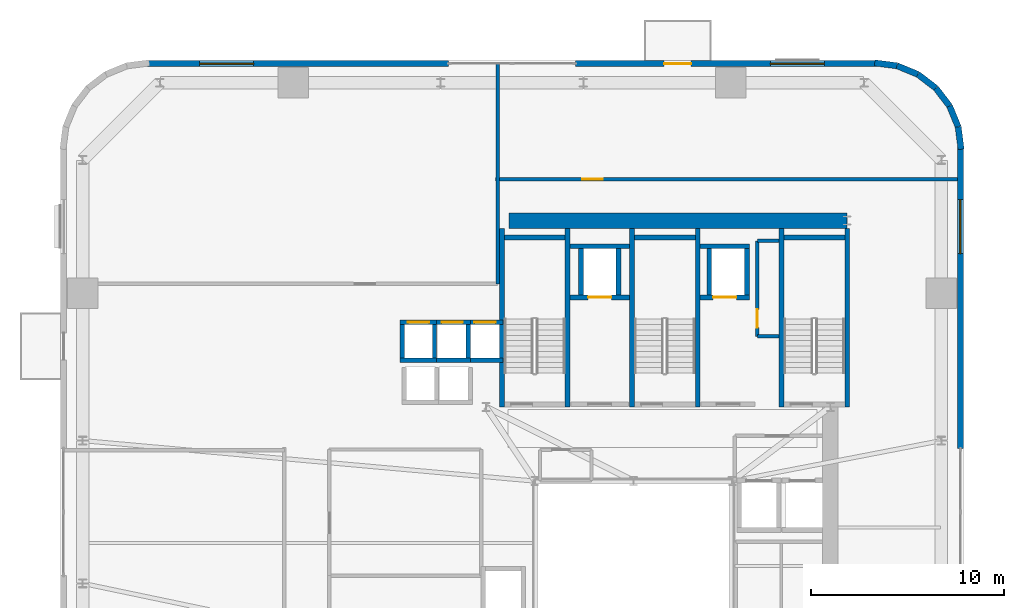
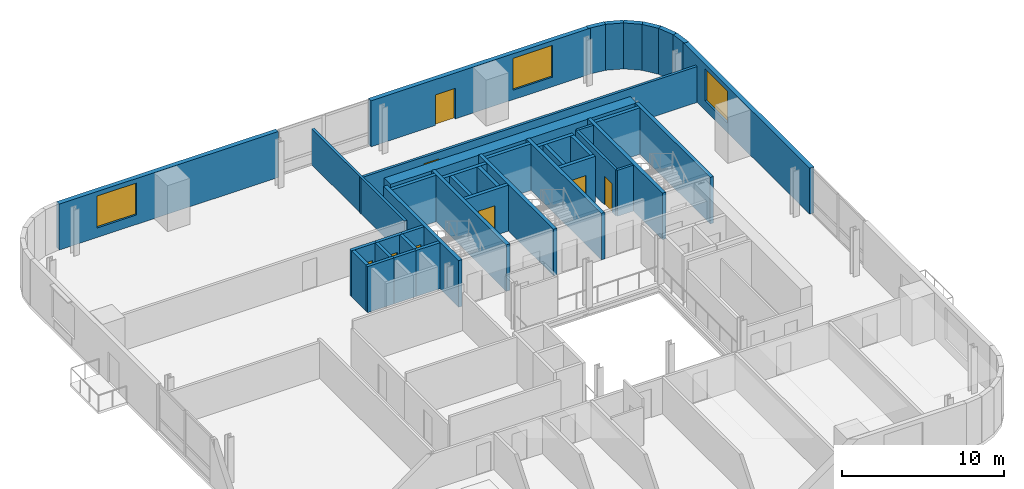
# One storey, part 8 of 14: 41 walls, 8 doors, 3 windows, 11 openings.
"""IFC4 building model written with IfcOpenShell, lengths in metres."""

from ifc_helpers import new_model, si_unit, direction, frame, frame_2d, origin, place, context, subcontext, project, spatial, rectangle, extrude, source, transform, mapped, material, layer, layer_set, type_object, element, fill, save


model = new_model("IFC4")

# Units and contexts
model_context = context("Model", 3, precision=1e-05, world=origin(), true_north=direction((0.0, 1.0)))
body_context = subcontext(model_context, "Body", "Model", "MODEL_VIEW")
ifc_project = project(units=[si_unit("LENGTHUNIT", "METRE"), si_unit("AREAUNIT", "SQUARE_METRE"), si_unit("VOLUMEUNIT", "CUBIC_METRE"), si_unit("PLANEANGLEUNIT", "RADIAN"), si_unit("MASSUNIT", "GRAM", prefix="KILO")], contexts=[model_context])

# Site, building, storey
site_placement = place(None, origin())
site = spatial("IfcSite", under=ifc_project, at=site_placement, CompositionType="ELEMENT")
building_placement = place(site_placement, origin())
building = spatial("IfcBuilding", under=site, at=building_placement, Name="Vardaveli Station Tower", CompositionType="ELEMENT")
storey_placement = place(building_placement, frame((0.0, 0.0, 111.300048828125)))
storey = spatial("IfcBuildingStorey", under=building, at=storey_placement, Name="L28", CompositionType="ELEMENT", Elevation=111.300048828125)

# Wall
ifc_material_1 = material(Name="Concrete C50/60", Category="concrete")
ifc_layer_1 = layer(ifc_material_1, 0.800048828125, Name="Concrete C50/60")
ifc_layer_set_1 = layer_set([ifc_layer_1], Name="Concrete C50/60")
wall_type_1 = type_object("IfcWallType", Name="WAL-CORE-800", PredefinedType="SHEAR", material=ifc_layer_set_1)
shared_shape_1 = source(origin(), body_context, "Body", "SweptSolid", [
    extrude(rectangle(XDim=17.52001953125, YDim=0.800048828125, at=frame_2d((8.760009765625, 0.0))), origin(), (0.0, 0.0, 1.0), 3.4599609375),
])
wall_1_placement = place(storey_placement, frame((29.85009765625, 40.300048828125, 0.0), z_axis=(0.0, 0.0, 1.0), x_axis=(1.0, 0.0, 0.0)))
element("IfcWall", 1, at=wall_1_placement, inside=storey, type_object=wall_type_1, Name="SW-L28-NORTH", PredefinedType="SHEAR", context=body_context, shape_type="MappedRepresentation", body=[
    mapped(shared_shape_1, transform((0.0, 0.0, 0.0), scale=1.0)),
])

# Wall, openings, door, window
ifc_material_2 = material(Name="Precast concrete C45/55", Category="concrete")
ifc_layer_2 = layer(ifc_material_2, 0.320068359375, Name="Precast concrete C45/55")
ifc_layer_set_2 = layer_set([ifc_layer_2], Name="Precast concrete C45/55")
wall_type_2 = type_object("IfcWallType", Name="WAL-EXT-STONE-320", PredefinedType="SOLIDWALL", material=ifc_layer_set_2)
shared_shape_2 = source(origin(), body_context, "Body", "SweptSolid", [
    extrude(rectangle(XDim=15.599853515625, YDim=0.320068359375, at=frame_2d((7.7998046875, 0.0))), origin(), (0.0, 0.0, 1.0), 3.4599609375),
])
wall_2_placement = place(storey_placement, frame((48.89990234375, 48.43994140625, 0.0), z_axis=(0.0, 0.0, 1.0), x_axis=(-1.0, 0.0, 0.0)))
wall_2 = element("IfcWall", 2, at=wall_2_placement, inside=storey, type_object=wall_type_2, Name="EW-L28-N1", PredefinedType="SOLIDWALL", context=body_context, shape_type="MappedRepresentation", body=[
    mapped(shared_shape_2, transform((0.0, 0.0, 0.0), scale=1.0)),
])
shared_shape_3 = source(origin(), body_context, "Body", "SweptSolid", [
    extrude(rectangle(XDim=1.39990234375, YDim=2.300048828125, at=frame_2d((0.699951171875, 1.14990234375))), frame((0.0, 0.169921875, 0.0), z_axis=(0.0, -1.0, 0.0), x_axis=(1.0, 0.0, 0.0)), (0.0, 0.0, 1.0), 0.340087890625),
])
opening_1_placement = place(wall_2_placement, frame((9.6103515625, 0.0, 0.0)))
opening_1 = element("IfcOpeningElement", 3, at=opening_1_placement, cuts=wall_2, Name="Opening D-09", PredefinedType="OPENING", context=body_context, shape_type="MappedRepresentation", body=[
    mapped(shared_shape_3, transform((0.0, 0.0, 0.0), scale=1.0)),
])
shared_shape_4 = source(origin(), body_context, "Body", "SweptSolid", [
    extrude(rectangle(XDim=2.800048828125, YDim=2.39990234375, at=frame_2d((1.39990234375, 1.199951171875))), frame((0.0, 0.169921875, 0.0), z_axis=(0.0, -1.0, 0.0), x_axis=(1.0, 0.0, 0.0)), (0.0, 0.0, 1.0), 0.340087890625),
])
opening_2_placement = place(wall_2_placement, frame((2.705078125, 0.0, 0.719970703125)))
opening_2 = element("IfcOpeningElement", 4, at=opening_2_placement, cuts=wall_2, Name="Opening W-04", PredefinedType="OPENING", context=body_context, shape_type="MappedRepresentation", body=[
    mapped(shared_shape_4, transform((0.0, 0.0, 0.0), scale=1.0)),
])
ifc_material_3 = material(Name="Thermally broken aluminium glass", Category="aluminium")
door_type_1 = type_object("IfcDoorType", Name="DR-LOG-1400x2300", OperationType="DOUBLE_DOOR_SLIDING", PredefinedType="DOOR", material=ifc_material_3)
shared_shape_5 = source(origin(), body_context, "Body", "SweptSolid", [
    extrude(rectangle(XDim=1.39990234375, YDim=2.300048828125, at=frame_2d((0.699951171875, 1.14990234375))), frame((0.0, 0.02490234375, 0.0), z_axis=(0.0, -1.0, 0.0), x_axis=(1.0, 0.0, 0.0)), (0.0, 0.0, 1.0), 0.050048828125),
])
door_1_placement = place(opening_1_placement, frame((1.39990234375, 0.0, 0.0), z_axis=(0.0, 0.0, 1.0), x_axis=(-1.0, 0.0, 0.0)))
door_1 = element("IfcDoor", 5, at=door_1_placement, inside=storey, type_object=door_type_1, Name="DLG-L28-N", OperationType="DOUBLE_DOOR_SLIDING", OverallHeight=2.300048828125, OverallWidth=1.39990234375, PredefinedType="DOOR", context=body_context, shape_type="MappedRepresentation", body=[
    mapped(shared_shape_5, transform((0.0, 0.0, 0.0), scale=1.0)),
])
fill(opening_1, door_1)
ifc_material_4 = material(Name="Low-E solar-control glass", Category="glass")
window_type = type_object("IfcWindowType", Name="WIN-SUITE-2800x2400", PartitioningType="SINGLE_PANEL", PredefinedType="WINDOW", material=ifc_material_4)
shared_shape_6 = source(origin(), body_context, "Body", "SweptSolid", [
    extrude(rectangle(XDim=2.800048828125, YDim=2.39990234375, at=frame_2d((1.39990234375, 1.199951171875))), frame((0.0, 0.030029296875, 0.0), z_axis=(0.0, -1.0, 0.0), x_axis=(1.0, 0.0, 0.0)), (0.0, 0.0, 1.0), 0.06005859375),
])
window_1_placement = place(opening_2_placement, origin())
window_1 = element("IfcWindow", 6, at=window_1_placement, inside=storey, type_object=window_type, Name="WN-L28-N1", OverallHeight=2.39990234375, OverallWidth=2.800048828125, PartitioningType="SINGLE_PANEL", PredefinedType="WINDOW", context=body_context, shape_type="MappedRepresentation", body=[
    mapped(shared_shape_6, transform((0.0, 0.0, 0.0), scale=1.0)),
])
fill(opening_2, window_1)

# Wall, opening, window
wall_3_placement = place(storey_placement, frame((26.699951171875, 48.43994140625, 0.0), z_axis=(0.0, 0.0, 1.0), x_axis=(-1.0, 0.0, 0.0)))
wall_3 = element("IfcWall", 7, at=wall_3_placement, inside=storey, type_object=wall_type_2, Name="EW-L28-N2", PredefinedType="SOLIDWALL", context=body_context, shape_type="MappedRepresentation", body=[
    mapped(shared_shape_2, transform((0.0, 0.0, 0.0), scale=1.0)),
])
opening_3_placement = place(wall_3_placement, frame((10.094970703125, 0.0, 0.719970703125)))
opening_3 = element("IfcOpeningElement", 8, at=opening_3_placement, cuts=wall_3, Name="Opening W-04", PredefinedType="OPENING", context=body_context, shape_type="MappedRepresentation", body=[
    mapped(shared_shape_4, transform((0.0, 0.0, 0.0), scale=1.0)),
])
window_2_placement = place(opening_3_placement, origin())
window_2 = element("IfcWindow", 9, at=window_2_placement, inside=storey, type_object=window_type, Name="WN-L28-N2", OverallHeight=2.39990234375, OverallWidth=2.800048828125, PartitioningType="SINGLE_PANEL", PredefinedType="WINDOW", context=body_context, shape_type="MappedRepresentation", body=[
    mapped(shared_shape_6, transform((0.0, 0.0, 0.0), scale=1.0)),
])
fill(opening_3, window_2)

shared_shape_7 = source(origin(), body_context, "Body", "SweptSolid", [
    extrude(rectangle(XDim=15.60009765625, YDim=0.320068359375, at=frame_2d((7.800048828125, 0.0))), origin(), (0.0, 0.0, 1.0), 3.4599609375),
])
wall_4_placement = place(storey_placement, frame((53.239990234375, 28.5, 0.0), z_axis=(0.0, 0.0, 1.0), x_axis=(0.0, 1.0, 0.0)))
wall_4 = element("IfcWall", 10, at=wall_4_placement, inside=storey, type_object=wall_type_2, Name="EW-L28-E2", PredefinedType="SOLIDWALL", context=body_context, shape_type="MappedRepresentation", body=[
    mapped(shared_shape_7, transform((0.0, 0.0, 0.0), scale=1.0)),
])
opening_4_placement = place(wall_4_placement, frame((10.094970703125, 0.0, 0.719970703125)))
opening_4 = element("IfcOpeningElement", 11, at=opening_4_placement, cuts=wall_4, Name="Opening W-04", PredefinedType="OPENING", context=body_context, shape_type="MappedRepresentation", body=[
    mapped(shared_shape_4, transform((0.0, 0.0, 0.0), scale=1.0)),
])
window_3_placement = place(opening_4_placement, origin())
window_3 = element("IfcWindow", 12, at=window_3_placement, inside=storey, type_object=window_type, Name="WN-L28-E2", OverallHeight=2.39990234375, OverallWidth=2.800048828125, PartitioningType="SINGLE_PANEL", PredefinedType="WINDOW", context=body_context, shape_type="MappedRepresentation", body=[
    mapped(shared_shape_6, transform((0.0, 0.0, 0.0), scale=1.0)),
])
fill(opening_4, window_3)

# Walls
shared_shape_8 = source(origin(), body_context, "Body", "SweptSolid", [
    extrude(rectangle(XDim=1.1689453125, YDim=0.320068359375, at=frame_2d((0.58447265625, 0.0))), origin(), (0.0, 0.0, 1.0), 3.4599609375),
])
wall_5_placement = place(storey_placement, frame((52.679931640625, 46.2412109375, 0.0), z_axis=(0.0, 0.0, 1.0), x_axis=(-0.608387696831, 0.793639975269, 0.0)))
element("IfcWall", 13, at=wall_5_placement, inside=storey, type_object=wall_type_2, Name="EW-L28-CR3-3", PredefinedType="SOLIDWALL", context=body_context, shape_type="MappedRepresentation", body=[
    mapped(shared_shape_8, transform((0.0, 0.0, 0.0), scale=1.0)),
])
shared_shape_9 = source(origin(), body_context, "Body", "SweptSolid", [
    extrude(rectangle(XDim=1.168701171875, YDim=0.320068359375, at=frame_2d((0.58447265625, 0.0))), origin(), (0.0, 0.0, 1.0), 3.4599609375),
])
wall_6_placement = place(storey_placement, frame((51.96875, 47.1689453125, 0.0), z_axis=(0.0, 0.0, 1.0), x_axis=(-0.793663520347, 0.608356981114, 0.0)))
element("IfcWall", 14, at=wall_6_placement, inside=storey, type_object=wall_type_2, Name="EW-L28-CR3-4", PredefinedType="SOLIDWALL", context=body_context, shape_type="MappedRepresentation", body=[
    mapped(shared_shape_9, transform((0.0, 0.0, 0.0), scale=1.0)),
])
shared_shape_10 = source(origin(), body_context, "Body", "SweptSolid", [
    extrude(rectangle(XDim=1.17041015625, YDim=0.320068359375, at=frame_2d((0.585205078125, 0.0))), origin(), (0.0, 0.0, 1.0), 3.4599609375),
])
for number, where, z_axis, x_axis, name in (
    (15, (53.275634765625, 43.99951171875, 0.0), (0.0, 0.0, 1.0), (-0.128295670475, 0.991735963317, 0.0), "EW-L28-CR3-1"),
    (16, (49.960205078125, 48.325439453125, 0.0), (0.0, 0.0, 1.0), (-0.991735963317, 0.128295670475, 0.0), "EW-L28-CR3-6"),
):
    element("IfcWall", number, at=place(storey_placement, frame(where, z_axis=z_axis, x_axis=x_axis)), inside=storey, type_object=wall_type_2, Name=name, PredefinedType="SOLIDWALL", context=body_context, shape_type="MappedRepresentation", body=[
        mapped(shared_shape_10, transform((0.0, 0.0, 0.0), scale=1.0)),
    ])
shared_shape_11 = source(origin(), body_context, "Body", "SweptSolid", [
    extrude(rectangle(XDim=1.169189453125, YDim=0.320068359375, at=frame_2d((0.58447265625, 0.0))), origin(), (0.0, 0.0, 1.0), 3.4599609375),
])
for number, where, z_axis, x_axis, name in (
    (17, (53.12548828125, 45.16015625, 0.0), (0.0, 0.0, 1.0), (-0.381054331552, 0.924552646638, 0.0), "EW-L28-CR3-2"),
    (18, (51.041259765625, 47.8798828125, 0.0), (0.0, 0.0, 1.0), (-0.924552646638, 0.381054331552, 0.0), "EW-L28-CR3-5"),
):
    element("IfcWall", number, at=place(storey_placement, frame(where, z_axis=z_axis, x_axis=x_axis)), inside=storey, type_object=wall_type_2, Name=name, PredefinedType="SOLIDWALL", context=body_context, shape_type="MappedRepresentation", body=[
        mapped(shared_shape_11, transform((0.0, 0.0, 0.0), scale=1.0)),
    ])
ifc_material_5 = material(Name="Concrete C40/50", Category="concrete")
ifc_layer_3 = layer(ifc_material_5, 0.25, Name="Concrete C40/50")
ifc_layer_set_3 = layer_set([ifc_layer_3], Name="Concrete C40/50")
wall_type_3 = type_object("IfcWallType", Name="WAL-SHAFT-250", PredefinedType="SOLIDWALL", material=ifc_layer_set_3)
shared_shape_12 = source(origin(), body_context, "Body", "SweptSolid", [
    extrude(rectangle(XDim=9.25, YDim=0.25, at=frame_2d((4.625, 0.0))), origin(), (0.0, 0.0, 1.0), 3.5),
])
for number, where, z_axis, x_axis, name in (
    (19, (29.47509765625, 30.64990234375, 0.0), (0.0, 0.0, 1.0), (0.0, 1.0, 0.0), "W-L28-ST-1W"),
    (20, (32.875, 30.64990234375, 0.0), (0.0, 0.0, 1.0), (0.0, 1.0, 0.0), "W-L28-ST-1E"),
    (21, (36.22509765625, 30.64990234375, 0.0), (0.0, 0.0, 1.0), (0.0, 1.0, 0.0), "W-L28-ST-2W"),
    (22, (39.625, 30.64990234375, 0.0), (0.0, 0.0, 1.0), (0.0, 1.0, 0.0), "W-L28-ST-2E"),
    (23, (43.97509765625, 30.64990234375, 0.0), (0.0, 0.0, 1.0), (0.0, 1.0, 0.0), "W-L28-ST-3W"),
    (24, (47.375, 30.64990234375, 0.0), (0.0, 0.0, 1.0), (0.0, 1.0, 0.0), "W-L28-ST-3E"),
):
    element("IfcWall", number, at=place(storey_placement, frame(where, z_axis=z_axis, x_axis=x_axis)), inside=storey, type_object=wall_type_3, Name=name, PredefinedType="SOLIDWALL", context=body_context, shape_type="MappedRepresentation", body=[
        mapped(shared_shape_12, transform((0.0, 0.0, 0.0), scale=1.0)),
    ])
shared_shape_13 = source(origin(), body_context, "Body", "SweptSolid", [
    extrude(rectangle(XDim=3.14990234375, YDim=0.25, at=frame_2d((1.574951171875, 0.0))), origin(), (0.0, 0.0, 1.0), 3.5),
])
for number, where, z_axis, x_axis, name in (
    (25, (29.60009765625, 39.425048828125, 0.0), (0.0, 0.0, 1.0), (1.0, 0.0, 0.0), "W-L28-ST-1N"),
    (26, (36.35009765625, 39.425048828125, 0.0), (0.0, 0.0, 1.0), (1.0, 0.0, 0.0), "W-L28-ST-2N"),
    (27, (44.10009765625, 39.425048828125, 0.0), (0.0, 0.0, 1.0), (1.0, 0.0, 0.0), "W-L28-ST-3N"),
):
    element("IfcWall", number, at=place(storey_placement, frame(where, z_axis=z_axis, x_axis=x_axis)), inside=storey, type_object=wall_type_3, Name=name, PredefinedType="SOLIDWALL", context=body_context, shape_type="MappedRepresentation", body=[
        mapped(shared_shape_13, transform((0.0, 0.0, 0.0), scale=1.0)),
    ])
ifc_layer_4 = layer(ifc_material_5, 0.219970703125, Name="Concrete C40/50")
ifc_layer_set_4 = layer_set([ifc_layer_4], Name="Concrete C40/50")
wall_type_4 = type_object("IfcWallType", Name="WAL-FFLOBBY-220", PredefinedType="SOLIDWALL", material=ifc_layer_set_4)
shared_shape_14 = source(origin(), body_context, "Body", "SweptSolid", [
    extrude(rectangle(XDim=1.889892578125, YDim=0.219970703125, at=frame_2d((0.94482421875, 0.0))), origin(), (0.0, 0.0, 1.0), 3.4599609375),
])
wall_7_placement = place(storey_placement, frame((24.205078125, 33.06494140625, 0.0), z_axis=(0.0, 0.0, 1.0), x_axis=(1.0, 0.0, 0.0)))
element("IfcWall", 28, at=wall_7_placement, inside=storey, type_object=wall_type_4, Name="SHW-HL2-01-L28-S", PredefinedType="SOLIDWALL", context=body_context, shape_type="MappedRepresentation", body=[
    mapped(shared_shape_14, transform((0.0, 0.0, 0.0), scale=1.0)),
])

# Wall, opening, door
wall_8_placement = place(storey_placement, frame((24.205078125, 35.034912109375, 0.0), z_axis=(0.0, 0.0, 1.0), x_axis=(1.0, 0.0, 0.0)))
wall_8 = element("IfcWall", 29, at=wall_8_placement, inside=storey, type_object=wall_type_4, Name="SHW-HL2-01-L28-N", PredefinedType="SOLIDWALL", context=body_context, shape_type="MappedRepresentation", body=[
    mapped(shared_shape_14, transform((0.0, 0.0, 0.0), scale=1.0)),
])
shared_shape_15 = source(origin(), body_context, "Body", "SweptSolid", [
    extrude(rectangle(XDim=1.10009765625, YDim=2.199951171875, at=frame_2d((0.550048828125, 1.10009765625))), frame((0.0, 0.1201171875, 0.0), z_axis=(0.0, -1.0, 0.0), x_axis=(1.0, 0.0, 0.0)), (0.0, 0.0, 1.0), 0.239990234375),
])
opening_5_placement = place(wall_8_placement, frame((0.39501953125, 0.0, 0.0)))
opening_5 = element("IfcOpeningElement", 30, at=opening_5_placement, cuts=wall_8, Name="Opening LD-01", PredefinedType="OPENING", context=body_context, shape_type="MappedRepresentation", body=[
    mapped(shared_shape_15, transform((0.0, 0.0, 0.0), scale=1.0)),
])
ifc_material_6 = material(Name="Brushed stainless steel", Category="steel")
door_type_2 = type_object("IfcDoorType", Name="DR-LD-1100x2200", OperationType="DOUBLE_DOOR_SLIDING", PredefinedType="DOOR", material=ifc_material_6)
shared_shape_16 = source(origin(), body_context, "Body", "SweptSolid", [
    extrude(rectangle(XDim=1.10009765625, YDim=2.199951171875, at=frame_2d((0.550048828125, 1.10009765625))), frame((0.0, 0.02490234375, 0.0), z_axis=(0.0, -1.0, 0.0), x_axis=(1.0, 0.0, 0.0)), (0.0, 0.0, 1.0), 0.050048828125),
])
door_2_placement = place(opening_5_placement, origin())
door_2 = element("IfcDoor", 31, at=door_2_placement, inside=storey, type_object=door_type_2, Name="LD-HL2-01-L28", OperationType="DOUBLE_DOOR_SLIDING", OverallHeight=2.199951171875, OverallWidth=1.10009765625, PredefinedType="DOOR", context=body_context, shape_type="MappedRepresentation", body=[
    mapped(shared_shape_16, transform((0.0, 0.0, 0.0), scale=1.0)),
])
fill(opening_5, door_2)

# Wall
wall_9_placement = place(storey_placement, frame((25.955078125, 33.06494140625, 0.0), z_axis=(0.0, 0.0, 1.0), x_axis=(1.0, 0.0, 0.0)))
element("IfcWall", 32, at=wall_9_placement, inside=storey, type_object=wall_type_4, Name="SHW-HL2-02-L28-S", PredefinedType="SOLIDWALL", context=body_context, shape_type="MappedRepresentation", body=[
    mapped(shared_shape_14, transform((0.0, 0.0, 0.0), scale=1.0)),
])

# Wall, opening, door
wall_10_placement = place(storey_placement, frame((25.955078125, 35.034912109375, 0.0), z_axis=(0.0, 0.0, 1.0), x_axis=(1.0, 0.0, 0.0)))
wall_10 = element("IfcWall", 33, at=wall_10_placement, inside=storey, type_object=wall_type_4, Name="SHW-HL2-02-L28-N", PredefinedType="SOLIDWALL", context=body_context, shape_type="MappedRepresentation", body=[
    mapped(shared_shape_14, transform((0.0, 0.0, 0.0), scale=1.0)),
])
opening_6_placement = place(wall_10_placement, frame((0.39501953125, 0.0, 0.0)))
opening_6 = element("IfcOpeningElement", 34, at=opening_6_placement, cuts=wall_10, Name="Opening LD-01", PredefinedType="OPENING", context=body_context, shape_type="MappedRepresentation", body=[
    mapped(shared_shape_15, transform((0.0, 0.0, 0.0), scale=1.0)),
])
door_3_placement = place(opening_6_placement, origin())
door_3 = element("IfcDoor", 35, at=door_3_placement, inside=storey, type_object=door_type_2, Name="LD-HL2-02-L28", OperationType="DOUBLE_DOOR_SLIDING", OverallHeight=2.199951171875, OverallWidth=1.10009765625, PredefinedType="DOOR", context=body_context, shape_type="MappedRepresentation", body=[
    mapped(shared_shape_16, transform((0.0, 0.0, 0.0), scale=1.0)),
])
fill(opening_6, door_3)

# Wall
wall_11_placement = place(storey_placement, frame((27.655029296875, 33.06494140625, 0.0), z_axis=(0.0, 0.0, 1.0), x_axis=(1.0, 0.0, 0.0)))
element("IfcWall", 36, at=wall_11_placement, inside=storey, type_object=wall_type_4, Name="SHW-HL2-03-L28-S", PredefinedType="SOLIDWALL", context=body_context, shape_type="MappedRepresentation", body=[
    mapped(shared_shape_14, transform((0.0, 0.0, 0.0), scale=1.0)),
])

# Wall, opening, door
wall_12_placement = place(storey_placement, frame((27.655029296875, 35.034912109375, 0.0), z_axis=(0.0, 0.0, 1.0), x_axis=(1.0, 0.0, 0.0)))
wall_12 = element("IfcWall", 37, at=wall_12_placement, inside=storey, type_object=wall_type_4, Name="SHW-HL2-03-L28-N", PredefinedType="SOLIDWALL", context=body_context, shape_type="MappedRepresentation", body=[
    mapped(shared_shape_14, transform((0.0, 0.0, 0.0), scale=1.0)),
])
opening_7_placement = place(wall_12_placement, frame((0.39501953125, 0.0, 0.0)))
opening_7 = element("IfcOpeningElement", 38, at=opening_7_placement, cuts=wall_12, Name="Opening LD-01", PredefinedType="OPENING", context=body_context, shape_type="MappedRepresentation", body=[
    mapped(shared_shape_15, transform((0.0, 0.0, 0.0), scale=1.0)),
])
door_4_placement = place(opening_7_placement, origin())
door_4 = element("IfcDoor", 39, at=door_4_placement, inside=storey, type_object=door_type_2, Name="LD-HL2-03-L28", OperationType="DOUBLE_DOOR_SLIDING", OverallHeight=2.199951171875, OverallWidth=1.10009765625, PredefinedType="DOOR", context=body_context, shape_type="MappedRepresentation", body=[
    mapped(shared_shape_16, transform((0.0, 0.0, 0.0), scale=1.0)),
])
fill(opening_7, door_4)

# Walls
shared_shape_17 = source(origin(), body_context, "Body", "SweptSolid", [
    extrude(rectangle(XDim=1.75, YDim=0.219970703125, at=frame_2d((0.875, 0.0))), origin(), (0.0, 0.0, 1.0), 3.4599609375),
])
for number, where, z_axis, x_axis, name in (
    (40, (24.31494140625, 33.175048828125, 0.0), (0.0, 0.0, 1.0), (0.0, 1.0, 0.0), "SHW-HL2-01-L28-W"),
    (41, (25.985107421875, 33.175048828125, 0.0), (0.0, 0.0, 1.0), (0.0, 1.0, 0.0), "SHW-HL2-01-L28-E"),
    (42, (27.735107421875, 33.175048828125, 0.0), (0.0, 0.0, 1.0), (0.0, 1.0, 0.0), "SHW-HL2-02-L28-E"),
):
    element("IfcWall", number, at=place(storey_placement, frame(where, z_axis=z_axis, x_axis=x_axis)), inside=storey, type_object=wall_type_4, Name=name, PredefinedType="SOLIDWALL", context=body_context, shape_type="MappedRepresentation", body=[
        mapped(shared_shape_17, transform((0.0, 0.0, 0.0), scale=1.0)),
    ])

# Wall, opening, door
shared_shape_18 = source(origin(), body_context, "Body", "SweptSolid", [
    extrude(rectangle(XDim=3.10009765625, YDim=0.25, at=frame_2d((1.550048828125, 0.0))), origin(), (0.0, 0.0, 1.0), 3.4599609375),
])
wall_13_placement = place(storey_placement, frame((33.0, 36.324951171875, 0.0), z_axis=(0.0, 0.0, 1.0), x_axis=(1.0, 0.0, 0.0)))
wall_13 = element("IfcWall", 43, at=wall_13_placement, inside=storey, type_object=wall_type_3, Name="SHW-FFL-01-L28-S", PredefinedType="SOLIDWALL", context=body_context, shape_type="MappedRepresentation", body=[
    mapped(shared_shape_18, transform((0.0, 0.0, 0.0), scale=1.0)),
])
shared_shape_19 = source(origin(), body_context, "Body", "SweptSolid", [
    extrude(rectangle(XDim=1.199951171875, YDim=2.25, at=frame_2d((0.60009765625, 1.125))), frame((0.0, 0.135009765625, 0.0), z_axis=(0.0, -1.0, 0.0), x_axis=(1.0, 0.0, 0.0)), (0.0, 0.0, 1.0), 0.27001953125),
])
opening_8_placement = place(wall_13_placement, frame((0.949951171875, 0.0, 0.0)))
opening_8 = element("IfcOpeningElement", 44, at=opening_8_placement, cuts=wall_13, Name="Opening LD-02", PredefinedType="OPENING", context=body_context, shape_type="MappedRepresentation", body=[
    mapped(shared_shape_19, transform((0.0, 0.0, 0.0), scale=1.0)),
])
door_type_3 = type_object("IfcDoorType", Name="DR-LD-1200x2250", OperationType="DOUBLE_DOOR_SLIDING", PredefinedType="DOOR", material=ifc_material_6)
shared_shape_20 = source(origin(), body_context, "Body", "SweptSolid", [
    extrude(rectangle(XDim=1.199951171875, YDim=2.25, at=frame_2d((0.60009765625, 1.125))), frame((0.0, 0.02490234375, 0.0), z_axis=(0.0, -1.0, 0.0), x_axis=(1.0, 0.0, 0.0)), (0.0, 0.0, 1.0), 0.050048828125),
])
door_5_placement = place(opening_8_placement, origin())
door_5 = element("IfcDoor", 45, at=door_5_placement, inside=storey, type_object=door_type_3, Name="LD-FFL-01-L28", OperationType="DOUBLE_DOOR_SLIDING", OverallHeight=2.25, OverallWidth=1.199951171875, PredefinedType="DOOR", context=body_context, shape_type="MappedRepresentation", body=[
    mapped(shared_shape_20, transform((0.0, 0.0, 0.0), scale=1.0)),
])
fill(opening_8, door_5)

# Walls
wall_14_placement = place(storey_placement, frame((33.0, 38.97509765625, 0.0), z_axis=(0.0, 0.0, 1.0), x_axis=(1.0, 0.0, 0.0)))
element("IfcWall", 46, at=wall_14_placement, inside=storey, type_object=wall_type_3, Name="SHW-FFL-01-L28-N", PredefinedType="SOLIDWALL", context=body_context, shape_type="MappedRepresentation", body=[
    mapped(shared_shape_18, transform((0.0, 0.0, 0.0), scale=1.0)),
])
shared_shape_21 = source(origin(), body_context, "Body", "SweptSolid", [
    extrude(rectangle(XDim=2.400146484375, YDim=0.25, at=frame_2d((1.2001953125, 0.0))), origin(), (0.0, 0.0, 1.0), 3.4599609375),
])
for number, where, z_axis, x_axis, name in (
    (47, (33.574951171875, 36.449951171875, 0.0), (0.0, 0.0, 1.0), (0.0, 1.0, 0.0), "SHW-FFL-01-L28-W"),
    (48, (35.52490234375, 36.449951171875, 0.0), (0.0, 0.0, 1.0), (0.0, 1.0, 0.0), "SHW-FFL-01-L28-E"),
    (49, (40.22509765625, 36.449951171875, 0.0), (0.0, 0.0, 1.0), (0.0, 1.0, 0.0), "SHW-FFL-02-L28-W"),
    (50, (42.175048828125, 36.449951171875, 0.0), (0.0, 0.0, 1.0), (0.0, 1.0, 0.0), "SHW-FFL-02-L28-E"),
):
    element("IfcWall", number, at=place(storey_placement, frame(where, z_axis=z_axis, x_axis=x_axis)), inside=storey, type_object=wall_type_3, Name=name, PredefinedType="SOLIDWALL", context=body_context, shape_type="MappedRepresentation", body=[
        mapped(shared_shape_21, transform((0.0, 0.0, 0.0), scale=1.0)),
    ])

# Wall, opening, door
shared_shape_22 = source(origin(), body_context, "Body", "SweptSolid", [
    extrude(rectangle(XDim=2.550048828125, YDim=0.25, at=frame_2d((1.27490234375, 0.0))), origin(), (0.0, 0.0, 1.0), 3.4599609375),
])
wall_15_placement = place(storey_placement, frame((39.75, 36.324951171875, 0.0), z_axis=(0.0, 0.0, 1.0), x_axis=(1.0, 0.0, 0.0)))
wall_15 = element("IfcWall", 51, at=wall_15_placement, inside=storey, type_object=wall_type_3, Name="SHW-FFL-02-L28-S", PredefinedType="SOLIDWALL", context=body_context, shape_type="MappedRepresentation", body=[
    mapped(shared_shape_22, transform((0.0, 0.0, 0.0), scale=1.0)),
])
opening_9_placement = place(wall_15_placement, frame((0.675048828125, 0.0, 0.0)))
opening_9 = element("IfcOpeningElement", 52, at=opening_9_placement, cuts=wall_15, Name="Opening LD-02", PredefinedType="OPENING", context=body_context, shape_type="MappedRepresentation", body=[
    mapped(shared_shape_19, transform((0.0, 0.0, 0.0), scale=1.0)),
])
door_6_placement = place(opening_9_placement, origin())
door_6 = element("IfcDoor", 53, at=door_6_placement, inside=storey, type_object=door_type_3, Name="LD-FFL-02-L28", OperationType="DOUBLE_DOOR_SLIDING", OverallHeight=2.25, OverallWidth=1.199951171875, PredefinedType="DOOR", context=body_context, shape_type="MappedRepresentation", body=[
    mapped(shared_shape_20, transform((0.0, 0.0, 0.0), scale=1.0)),
])
fill(opening_9, door_6)

# Wall
wall_16_placement = place(storey_placement, frame((39.75, 38.97509765625, 0.0), z_axis=(0.0, 0.0, 1.0), x_axis=(1.0, 0.0, 0.0)))
element("IfcWall", 54, at=wall_16_placement, inside=storey, type_object=wall_type_3, Name="SHW-FFL-02-L28-N", PredefinedType="SOLIDWALL", context=body_context, shape_type="MappedRepresentation", body=[
    mapped(shared_shape_22, transform((0.0, 0.0, 0.0), scale=1.0)),
])

# Wall, opening, door
ifc_material_7 = material(Name="Fire-rated gypsum stud partition")
ifc_layer_5 = layer(ifc_material_7, 0.179931640625, Name="Fire-rated gypsum stud partition")
ifc_layer_set_5 = layer_set([ifc_layer_5], Name="Fire-rated gypsum stud partition")
wall_type_5 = type_object("IfcWallType", Name="WAL-CORR-180", PredefinedType="PARTITIONING", material=ifc_layer_set_5)
shared_shape_23 = source(origin(), body_context, "Body", "SweptSolid", [
    extrude(rectangle(XDim=23.927978515625, YDim=0.179931640625, at=frame_2d((11.9638671875, 0.0))), origin(), (0.0, 0.0, 1.0), 2.701904296875),
])
wall_17_placement = place(storey_placement, frame((29.14990234375, 42.449951171875, 0.0), z_axis=(0.0, 0.0, 1.0), x_axis=(1.0, 0.0, 0.0)))
wall_17 = element("IfcWall", 55, at=wall_17_placement, inside=storey, type_object=wall_type_5, Name="W-L28-NPS", PredefinedType="PARTITIONING", context=body_context, shape_type="MappedRepresentation", body=[
    mapped(shared_shape_23, transform((0.0, 0.0, 0.0), scale=1.0)),
])
shared_shape_24 = source(origin(), body_context, "Body", "SweptSolid", [
    extrude(rectangle(XDim=1.050048828125, YDim=2.199951171875, at=frame_2d((0.52490234375, 1.10009765625))), frame((0.0, 0.10009765625, 0.0), z_axis=(0.0, -1.0, 0.0), x_axis=(1.0, 0.0, 0.0)), (0.0, 0.0, 1.0), 0.199951171875),
])
opening_10_placement = place(wall_17_placement, frame((4.5, 0.0, 0.0)))
opening_10 = element("IfcOpeningElement", 56, at=opening_10_placement, cuts=wall_17, Name="Opening D-05", PredefinedType="OPENING", context=body_context, shape_type="MappedRepresentation", body=[
    mapped(shared_shape_24, transform((0.0, 0.0, 0.0), scale=1.0)),
])
ifc_material_8 = material(Name="Walnut veneer acoustic fire door")
door_type_4 = type_object("IfcDoorType", Name="DR-SUITE-1050x2200", OperationType="NOTDEFINED", PredefinedType="DOOR", material=ifc_material_8)
shared_shape_25 = source(origin(), body_context, "Body", "SweptSolid", [
    extrude(rectangle(XDim=1.050048828125, YDim=2.199951171875, at=frame_2d((0.52490234375, 1.10009765625))), frame((0.0, 0.02490234375, 0.0), z_axis=(0.0, -1.0, 0.0), x_axis=(1.0, 0.0, 0.0)), (0.0, 0.0, 1.0), 0.050048828125),
])
door_7_placement = place(opening_10_placement, origin())
door_7 = element("IfcDoor", 57, at=door_7_placement, inside=storey, type_object=door_type_4, Name="D-L28-NP1", OperationType="SINGLE_SWING_RIGHT", OverallHeight=2.199951171875, OverallWidth=1.050048828125, PredefinedType="DOOR", context=body_context, shape_type="MappedRepresentation", body=[
    mapped(shared_shape_25, transform((0.0, 0.0, 0.0), scale=1.0)),
])
fill(opening_10, door_7)

shared_shape_26 = source(origin(), body_context, "Body", "SweptSolid", [
    extrude(rectangle(XDim=4.949951171875, YDim=0.179931640625, at=frame_2d((2.47509765625, 0.0))), origin(), (0.0, 0.0, 1.0), 3.4599609375),
])
wall_18_placement = place(storey_placement, frame((42.719970703125, 34.300048828125, 0.0), z_axis=(0.0, 0.0, 1.0), x_axis=(0.0, 1.0, 0.0)))
wall_18 = element("IfcWall", 58, at=wall_18_placement, inside=storey, type_object=wall_type_5, Name="W-L28-CBS1-W", PredefinedType="PARTITIONING", context=body_context, shape_type="MappedRepresentation", body=[
    mapped(shared_shape_26, transform((0.0, 0.0, 0.0), scale=1.0)),
])
shared_shape_27 = source(origin(), body_context, "Body", "SweptSolid", [
    extrude(rectangle(XDim=0.949951171875, YDim=2.14990234375, at=frame_2d((0.47509765625, 1.074951171875))), frame((0.0, 0.10009765625, 0.0), z_axis=(0.0, -1.0, 0.0), x_axis=(1.0, 0.0, 0.0)), (0.0, 0.0, 1.0), 0.199951171875),
])
opening_11_placement = place(wall_18_placement, frame((0.449951171875, 0.0, 0.0)))
opening_11 = element("IfcOpeningElement", 59, at=opening_11_placement, cuts=wall_18, Name="Opening D-06", PredefinedType="OPENING", context=body_context, shape_type="MappedRepresentation", body=[
    mapped(shared_shape_27, transform((0.0, 0.0, 0.0), scale=1.0)),
])
ifc_material_9 = material(Name="Oak veneer acoustic fire door")
door_type_5 = type_object("IfcDoorType", Name="DR-GUEST-950x2150", OperationType="NOTDEFINED", PredefinedType="DOOR", material=ifc_material_9)
shared_shape_28 = source(origin(), body_context, "Body", "SweptSolid", [
    extrude(rectangle(XDim=0.949951171875, YDim=2.14990234375, at=frame_2d((0.47509765625, 1.074951171875))), frame((0.0, 0.02490234375, 0.0), z_axis=(0.0, -1.0, 0.0), x_axis=(1.0, 0.0, 0.0)), (0.0, 0.0, 1.0), 0.050048828125),
])
door_8_placement = place(opening_11_placement, origin())
door_8 = element("IfcDoor", 60, at=door_8_placement, inside=storey, type_object=door_type_5, Name="D-L28-HKP", OperationType="SINGLE_SWING_RIGHT", OverallHeight=2.14990234375, OverallWidth=0.949951171875, PredefinedType="DOOR", context=body_context, shape_type="MappedRepresentation", body=[
    mapped(shared_shape_28, transform((0.0, 0.0, 0.0), scale=1.0)),
])
fill(opening_11, door_8)

# Walls
shared_shape_29 = source(origin(), body_context, "Body", "SweptSolid", [
    extrude(rectangle(XDim=11.449951171875, YDim=0.179931640625, at=frame_2d((5.72509765625, 0.0))), origin(), (0.0, 0.0, 1.0), 2.701904296875),
])
wall_19_placement = place(storey_placement, frame((29.25, 37.02001953125, 0.0), z_axis=(0.0, 0.0, 1.0), x_axis=(0.0, 1.0, 0.0)))
element("IfcWall", 61, at=wall_19_placement, inside=storey, type_object=wall_type_5, Name="W-L28-CNWE", PredefinedType="PARTITIONING", context=body_context, shape_type="MappedRepresentation", body=[
    mapped(shared_shape_29, transform((0.0, 0.0, 0.0), scale=1.0)),
])
shared_shape_30 = source(origin(), body_context, "Body", "SweptSolid", [
    extrude(rectangle(XDim=1.1279296875, YDim=0.179931640625, at=frame_2d((0.56396484375, 0.0))), origin(), (0.0, 0.0, 1.0), 3.4599609375),
])
for number, where, z_axis, x_axis, name in (
    (62, (42.719970703125, 34.300048828125, 0.0), (0.0, 0.0, 1.0), (1.0, 0.0, 0.0), "W-L28-CBS1-S"),
    (63, (42.719970703125, 39.25, 0.0), (0.0, 0.0, 1.0), (1.0, 0.0, 0.0), "W-L28-CBS1-N"),
):
    element("IfcWall", number, at=place(storey_placement, frame(where, z_axis=z_axis, x_axis=x_axis)), inside=storey, type_object=wall_type_5, Name=name, PredefinedType="PARTITIONING", context=body_context, shape_type="MappedRepresentation", body=[
        mapped(shared_shape_30, transform((0.0, 0.0, 0.0), scale=1.0)),
    ])

save(model, "model.ifc")
